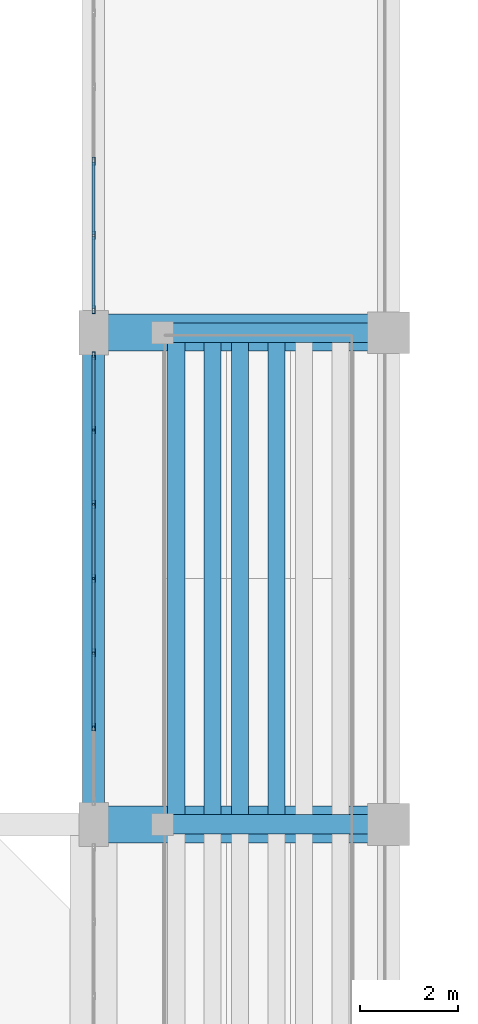
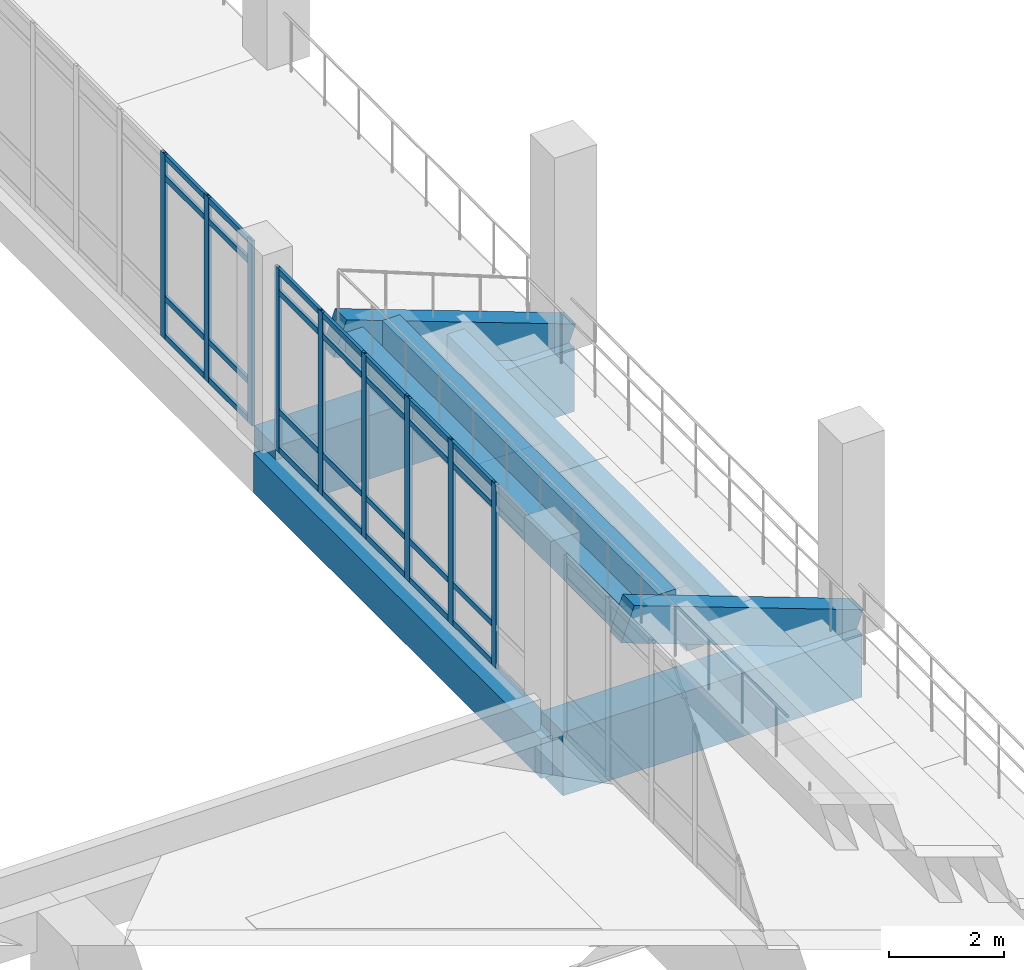
# One storey, part 64 of 161: 37 members, 9 beams, 2 elements without a shape of their own.
"""IFC4 building model written with IfcOpenShell, lengths in metres."""

from ifc_helpers import new_model, si_unit, direction, frame, origin, origin_2d, place, context, subcontext, project, spatial, rectangle, hollow_rectangle, extrude, material, layer, layer_set, material_profile, profile_set, type_object, element, aggregate, save


model = new_model("IFC4")

# Units and contexts
model_context = context("Model", 3, precision=1e-05, world=origin(), true_north=direction((0.0, 1.0)))
body_context = subcontext(model_context, "Body", "Model", "MODEL_VIEW")
ifc_project = project(units=[si_unit("LENGTHUNIT", "METRE"), si_unit("AREAUNIT", "SQUARE_METRE"), si_unit("VOLUMEUNIT", "CUBIC_METRE"), si_unit("PLANEANGLEUNIT", "RADIAN"), si_unit("MASSUNIT", "GRAM", prefix="KILO")], contexts=[model_context])

# Site, building, storey
site_placement = place(None, origin())
site = spatial("IfcSite", under=ifc_project, at=site_placement, CompositionType="ELEMENT")
building_placement = place(site_placement, origin())
building = spatial("IfcBuilding", under=site, at=building_placement, Name="Mersad Railyard Sports Hall", CompositionType="ELEMENT")
storey_placement = place(building_placement, frame((0.0, 0.0, 4.800048828125)))
storey = spatial("IfcBuildingStorey", under=building, at=storey_placement, Name="L01", CompositionType="ELEMENT", Elevation=4.800048828125)

# Curtain wall, members
ifc_material_1 = material(Name="Aluminium 6063-T6", Category="aluminium")
ifc_layer_1 = layer(ifc_material_1, 0.159912109375)
ifc_layer_set_1 = layer_set([ifc_layer_1], Name="Aluminium 6063-T6")
curtain_wall_type_1 = type_object("IfcCurtainWallType", Name="ARC-CW-CW25", PredefinedType="USERDEFINED", material=ifc_layer_set_1)
curtain_wall_1_placement = place(storey_placement, origin())
curtain_wall_1 = element("IfcCurtainWall", 1, at=curtain_wall_1_placement, inside=storey, type_object=curtain_wall_type_1, Name="Curtain wall CW25-0072", ObjectType="CURTAIN WALL", PredefinedType="USERDEFINED")
ifc_material_profile_1 = material_profile(ifc_material_1, hollow_rectangle(XDim=0.06005859375, YDim=0.159912109375, WallThickness=0.00390625, at=origin_2d()), Name="AL MULLION 60x160x4")
ifc_profile_set_1 = profile_set([ifc_material_profile_1], Name="Aluminium 6063-T6")
member_type_1 = type_object("IfcMemberType", Name="ARC-CW-MUL01", PredefinedType="MULLION", material=ifc_profile_set_1)
member_1_placement = place(storey_placement, frame((131.0, 45.47998046875, -0.02001953125), z_axis=(0.0, 0.0, 1.0), x_axis=(1.0, 0.0, 0.0)))
member_1 = element("IfcMember", 2, at=member_1_placement, type_object=member_type_1, Name="CW25 Mullion 2", PredefinedType="MULLION", context=body_context, shape_type="SweptSolid", body=[
    extrude(hollow_rectangle(XDim=0.06005859375, YDim=0.159912109375, WallThickness=0.00390625, at=origin_2d()), origin(), (0.0, 0.0, 1.0), 3.89990234375),
])
member_2_placement = place(storey_placement, frame((131.0, 46.989990234375, -0.02001953125), z_axis=(0.0, 0.0, 1.0), x_axis=(1.0, 0.0, 0.0)))
member_2 = element("IfcMember", 3, at=member_2_placement, type_object=member_type_1, Name="CW25 Mullion 3", PredefinedType="MULLION", context=body_context, shape_type="SweptSolid", body=[
    extrude(hollow_rectangle(XDim=0.06005859375, YDim=0.159912109375, WallThickness=0.00390625, at=origin_2d()), origin(), (0.0, 0.0, 1.0), 3.89990234375),
])
member_3_placement = place(storey_placement, frame((131.0, 48.5, -0.02001953125), z_axis=(0.0, 0.0, 1.0), x_axis=(1.0, 0.0, 0.0)))
member_3 = element("IfcMember", 4, at=member_3_placement, type_object=member_type_1, Name="CW25 Mullion 4", PredefinedType="MULLION", context=body_context, shape_type="SweptSolid", body=[
    extrude(hollow_rectangle(XDim=0.06005859375, YDim=0.159912109375, WallThickness=0.00390625, at=origin_2d()), origin(), (0.0, 0.0, 1.0), 3.89990234375),
])
member_4_placement = place(storey_placement, frame((131.0, 50.010009765625, -0.02001953125), z_axis=(0.0, 0.0, 1.0), x_axis=(1.0, 0.0, 0.0)))
member_4 = element("IfcMember", 5, at=member_4_placement, type_object=member_type_1, Name="CW25 Mullion 5", PredefinedType="MULLION", context=body_context, shape_type="SweptSolid", body=[
    extrude(hollow_rectangle(XDim=0.06005859375, YDim=0.159912109375, WallThickness=0.00390625, at=origin_2d()), origin(), (0.0, 0.0, 1.0), 3.89990234375),
])
member_5_placement = place(storey_placement, frame((131.0, 51.52001953125, -0.02001953125), z_axis=(0.0, 0.0, 1.0), x_axis=(1.0, 0.0, 0.0)))
member_5 = element("IfcMember", 6, at=member_5_placement, type_object=member_type_1, Name="CW25 Mullion 6", PredefinedType="MULLION", context=body_context, shape_type="SweptSolid", body=[
    extrude(hollow_rectangle(XDim=0.06005859375, YDim=0.159912109375, WallThickness=0.00390625, at=origin_2d()), origin(), (0.0, 0.0, 1.0), 3.89990234375),
])
member_6_placement = place(storey_placement, frame((131.0, 53.030029296875, -0.02001953125), z_axis=(0.0, 0.0, 1.0), x_axis=(1.0, 0.0, 0.0)))
member_6 = element("IfcMember", 7, at=member_6_placement, type_object=member_type_1, Name="CW25 Mullion 7", PredefinedType="MULLION", context=body_context, shape_type="SweptSolid", body=[
    extrude(hollow_rectangle(XDim=0.06005859375, YDim=0.159912109375, WallThickness=0.00390625, at=origin_2d()), origin(), (0.0, 0.0, 1.0), 3.89990234375),
])

ifc_layer_2 = layer(ifc_material_1, 0.159912109375)
ifc_layer_set_2 = layer_set([ifc_layer_2], Name="Aluminium 6063-T6")
curtain_wall_type_2 = type_object("IfcCurtainWallType", Name="ARC-CW-CW26", PredefinedType="USERDEFINED", material=ifc_layer_set_2)
curtain_wall_2_placement = place(storey_placement, origin())
curtain_wall_2 = element("IfcCurtainWall", 8, at=curtain_wall_2_placement, inside=storey, type_object=curtain_wall_type_2, Name="Curtain wall CW26-0074", ObjectType="CURTAIN WALL", PredefinedType="USERDEFINED")
member_7_placement = place(storey_placement, frame((131.0, 53.969970703125, -0.02001953125), z_axis=(0.0, 0.0, 1.0), x_axis=(1.0, 0.0, 0.0)))
member_7 = element("IfcMember", 9, at=member_7_placement, type_object=member_type_1, Name="CW26 Mullion 1", PredefinedType="MULLION", context=body_context, shape_type="SweptSolid", body=[
    extrude(hollow_rectangle(XDim=0.06005859375, YDim=0.159912109375, WallThickness=0.00390625, at=origin_2d()), origin(), (0.0, 0.0, 1.0), 3.929931640625),
])
member_8_placement = place(storey_placement, frame((131.0, 55.47998046875, -0.02001953125), z_axis=(0.0, 0.0, 1.0), x_axis=(1.0, 0.0, 0.0)))
member_8 = element("IfcMember", 10, at=member_8_placement, type_object=member_type_1, Name="CW26 Mullion 2", PredefinedType="MULLION", context=body_context, shape_type="SweptSolid", body=[
    extrude(hollow_rectangle(XDim=0.06005859375, YDim=0.159912109375, WallThickness=0.00390625, at=origin_2d()), origin(), (0.0, 0.0, 1.0), 3.929931640625),
])
member_9_placement = place(storey_placement, frame((131.0, 56.989990234375, -0.02001953125), z_axis=(0.0, 0.0, 1.0), x_axis=(1.0, 0.0, 0.0)))
member_9 = element("IfcMember", 11, at=member_9_placement, type_object=member_type_1, Name="CW26 Mullion 3", PredefinedType="MULLION", context=body_context, shape_type="SweptSolid", body=[
    extrude(hollow_rectangle(XDim=0.06005859375, YDim=0.159912109375, WallThickness=0.00390625, at=origin_2d()), origin(), (0.0, 0.0, 1.0), 3.929931640625),
])

# Member
ifc_material_profile_2 = material_profile(ifc_material_1, hollow_rectangle(XDim=0.06005859375, YDim=0.1201171875, WallThickness=0.00390625, at=origin_2d()), Name="AL TRANSOM 60x120x4")
ifc_profile_set_2 = profile_set([ifc_material_profile_2], Name="Aluminium 6063-T6")
member_type_2 = type_object("IfcMemberType", Name="ARC-CW-TRN01", PredefinedType="USERDEFINED", material=ifc_profile_set_2)
member_10_placement = place(storey_placement, frame((131.0, 45.5, 0.0400390625), z_axis=(0.0, 1.0, 0.0), x_axis=(-1.0, 0.0, 0.0)))
member_10 = element("IfcMember", 12, at=member_10_placement, type_object=member_type_2, Name="CW25 Transom 1-2", ObjectType="TRANSOM", PredefinedType="USERDEFINED", context=body_context, shape_type="SweptSolid", body=[
    extrude(hollow_rectangle(XDim=0.06005859375, YDim=0.1201171875, WallThickness=0.00390625, at=origin_2d()), origin(), (0.0, 0.0, 1.0), 1.469970703125),
])

member_11_placement = place(storey_placement, frame((131.0, 47.010009765625, 0.0400390625), z_axis=(0.0, 1.0, 0.0), x_axis=(-1.0, 0.0, 0.0)))
member_11 = element("IfcMember", 13, at=member_11_placement, type_object=member_type_2, Name="CW25 Transom 1-3", ObjectType="TRANSOM", PredefinedType="USERDEFINED", context=body_context, shape_type="SweptSolid", body=[
    extrude(hollow_rectangle(XDim=0.06005859375, YDim=0.1201171875, WallThickness=0.00390625, at=origin_2d()), origin(), (0.0, 0.0, 1.0), 1.469970703125),
])

member_12_placement = place(storey_placement, frame((131.0, 48.52001953125, 0.0400390625), z_axis=(0.0, 1.0, 0.0), x_axis=(-1.0, 0.0, 0.0)))
member_12 = element("IfcMember", 14, at=member_12_placement, type_object=member_type_2, Name="CW25 Transom 1-4", ObjectType="TRANSOM", PredefinedType="USERDEFINED", context=body_context, shape_type="SweptSolid", body=[
    extrude(hollow_rectangle(XDim=0.06005859375, YDim=0.1201171875, WallThickness=0.00390625, at=origin_2d()), origin(), (0.0, 0.0, 1.0), 1.469970703125),
])

member_13_placement = place(storey_placement, frame((131.0, 50.030029296875, 0.0400390625), z_axis=(0.0, 1.0, 0.0), x_axis=(-1.0, 0.0, 0.0)))
member_13 = element("IfcMember", 15, at=member_13_placement, type_object=member_type_2, Name="CW25 Transom 1-5", ObjectType="TRANSOM", PredefinedType="USERDEFINED", context=body_context, shape_type="SweptSolid", body=[
    extrude(hollow_rectangle(XDim=0.06005859375, YDim=0.1201171875, WallThickness=0.00390625, at=origin_2d()), origin(), (0.0, 0.0, 1.0), 1.469970703125),
])

member_14_placement = place(storey_placement, frame((131.0, 51.5400390625, 0.0400390625), z_axis=(0.0, 1.0, 0.0), x_axis=(-1.0, 0.0, 0.0)))
member_14 = element("IfcMember", 16, at=member_14_placement, type_object=member_type_2, Name="CW25 Transom 1-6", ObjectType="TRANSOM", PredefinedType="USERDEFINED", context=body_context, shape_type="SweptSolid", body=[
    extrude(hollow_rectangle(XDim=0.06005859375, YDim=0.1201171875, WallThickness=0.00390625, at=origin_2d()), origin(), (0.0, 0.0, 1.0), 1.469970703125),
])

member_15_placement = place(storey_placement, frame((131.0, 45.5, 0.849853515625), z_axis=(0.0, 1.0, 0.0), x_axis=(-1.0, 0.0, 0.0)))
member_15 = element("IfcMember", 17, at=member_15_placement, type_object=member_type_2, Name="CW25 Transom 2-2", ObjectType="TRANSOM", PredefinedType="USERDEFINED", context=body_context, shape_type="SweptSolid", body=[
    extrude(hollow_rectangle(XDim=0.06005859375, YDim=0.1201171875, WallThickness=0.00390625, at=origin_2d()), origin(), (0.0, 0.0, 1.0), 1.469970703125),
])

member_16_placement = place(storey_placement, frame((131.0, 47.010009765625, 0.849853515625), z_axis=(0.0, 1.0, 0.0), x_axis=(-1.0, 0.0, 0.0)))
member_16 = element("IfcMember", 18, at=member_16_placement, type_object=member_type_2, Name="CW25 Transom 2-3", ObjectType="TRANSOM", PredefinedType="USERDEFINED", context=body_context, shape_type="SweptSolid", body=[
    extrude(hollow_rectangle(XDim=0.06005859375, YDim=0.1201171875, WallThickness=0.00390625, at=origin_2d()), origin(), (0.0, 0.0, 1.0), 1.469970703125),
])

member_17_placement = place(storey_placement, frame((131.0, 48.52001953125, 0.849853515625), z_axis=(0.0, 1.0, 0.0), x_axis=(-1.0, 0.0, 0.0)))
member_17 = element("IfcMember", 19, at=member_17_placement, type_object=member_type_2, Name="CW25 Transom 2-4", ObjectType="TRANSOM", PredefinedType="USERDEFINED", context=body_context, shape_type="SweptSolid", body=[
    extrude(hollow_rectangle(XDim=0.06005859375, YDim=0.1201171875, WallThickness=0.00390625, at=origin_2d()), origin(), (0.0, 0.0, 1.0), 1.469970703125),
])

member_18_placement = place(storey_placement, frame((131.0, 50.030029296875, 0.849853515625), z_axis=(0.0, 1.0, 0.0), x_axis=(-1.0, 0.0, 0.0)))
member_18 = element("IfcMember", 20, at=member_18_placement, type_object=member_type_2, Name="CW25 Transom 2-5", ObjectType="TRANSOM", PredefinedType="USERDEFINED", context=body_context, shape_type="SweptSolid", body=[
    extrude(hollow_rectangle(XDim=0.06005859375, YDim=0.1201171875, WallThickness=0.00390625, at=origin_2d()), origin(), (0.0, 0.0, 1.0), 1.469970703125),
])

member_19_placement = place(storey_placement, frame((131.0, 51.5400390625, 0.849853515625), z_axis=(0.0, 1.0, 0.0), x_axis=(-1.0, 0.0, 0.0)))
member_19 = element("IfcMember", 21, at=member_19_placement, type_object=member_type_2, Name="CW25 Transom 2-6", ObjectType="TRANSOM", PredefinedType="USERDEFINED", context=body_context, shape_type="SweptSolid", body=[
    extrude(hollow_rectangle(XDim=0.06005859375, YDim=0.1201171875, WallThickness=0.00390625, at=origin_2d()), origin(), (0.0, 0.0, 1.0), 1.469970703125),
])

member_20_placement = place(storey_placement, frame((131.0, 45.5, 3.3798828125), z_axis=(0.0, 1.0, 0.0), x_axis=(-1.0, 0.0, 0.0)))
member_20 = element("IfcMember", 22, at=member_20_placement, type_object=member_type_2, Name="CW25 Transom 3-2", ObjectType="TRANSOM", PredefinedType="USERDEFINED", context=body_context, shape_type="SweptSolid", body=[
    extrude(hollow_rectangle(XDim=0.06005859375, YDim=0.1201171875, WallThickness=0.00390625, at=origin_2d()), origin(), (0.0, 0.0, 1.0), 1.469970703125),
])

member_21_placement = place(storey_placement, frame((131.0, 47.010009765625, 3.3798828125), z_axis=(0.0, 1.0, 0.0), x_axis=(-1.0, 0.0, 0.0)))
member_21 = element("IfcMember", 23, at=member_21_placement, type_object=member_type_2, Name="CW25 Transom 3-3", ObjectType="TRANSOM", PredefinedType="USERDEFINED", context=body_context, shape_type="SweptSolid", body=[
    extrude(hollow_rectangle(XDim=0.06005859375, YDim=0.1201171875, WallThickness=0.00390625, at=origin_2d()), origin(), (0.0, 0.0, 1.0), 1.469970703125),
])

member_22_placement = place(storey_placement, frame((131.0, 48.52001953125, 3.3798828125), z_axis=(0.0, 1.0, 0.0), x_axis=(-1.0, 0.0, 0.0)))
member_22 = element("IfcMember", 24, at=member_22_placement, type_object=member_type_2, Name="CW25 Transom 3-4", ObjectType="TRANSOM", PredefinedType="USERDEFINED", context=body_context, shape_type="SweptSolid", body=[
    extrude(hollow_rectangle(XDim=0.06005859375, YDim=0.1201171875, WallThickness=0.00390625, at=origin_2d()), origin(), (0.0, 0.0, 1.0), 1.469970703125),
])

member_23_placement = place(storey_placement, frame((131.0, 50.030029296875, 3.3798828125), z_axis=(0.0, 1.0, 0.0), x_axis=(-1.0, 0.0, 0.0)))
member_23 = element("IfcMember", 25, at=member_23_placement, type_object=member_type_2, Name="CW25 Transom 3-5", ObjectType="TRANSOM", PredefinedType="USERDEFINED", context=body_context, shape_type="SweptSolid", body=[
    extrude(hollow_rectangle(XDim=0.06005859375, YDim=0.1201171875, WallThickness=0.00390625, at=origin_2d()), origin(), (0.0, 0.0, 1.0), 1.469970703125),
])

member_24_placement = place(storey_placement, frame((131.0, 51.5400390625, 3.3798828125), z_axis=(0.0, 1.0, 0.0), x_axis=(-1.0, 0.0, 0.0)))
member_24 = element("IfcMember", 26, at=member_24_placement, type_object=member_type_2, Name="CW25 Transom 3-6", ObjectType="TRANSOM", PredefinedType="USERDEFINED", context=body_context, shape_type="SweptSolid", body=[
    extrude(hollow_rectangle(XDim=0.06005859375, YDim=0.1201171875, WallThickness=0.00390625, at=origin_2d()), origin(), (0.0, 0.0, 1.0), 1.469970703125),
])

member_25_placement = place(storey_placement, frame((131.0, 45.5, 3.820068359375), z_axis=(0.0, 1.0, 0.0), x_axis=(-1.0, 0.0, 0.0)))
member_25 = element("IfcMember", 27, at=member_25_placement, type_object=member_type_2, Name="CW25 Transom 4-2", ObjectType="TRANSOM", PredefinedType="USERDEFINED", context=body_context, shape_type="SweptSolid", body=[
    extrude(hollow_rectangle(XDim=0.06005859375, YDim=0.1201171875, WallThickness=0.00390625, at=origin_2d()), origin(), (0.0, 0.0, 1.0), 1.469970703125),
])

member_26_placement = place(storey_placement, frame((131.0, 47.010009765625, 3.820068359375), z_axis=(0.0, 1.0, 0.0), x_axis=(-1.0, 0.0, 0.0)))
member_26 = element("IfcMember", 28, at=member_26_placement, type_object=member_type_2, Name="CW25 Transom 4-3", ObjectType="TRANSOM", PredefinedType="USERDEFINED", context=body_context, shape_type="SweptSolid", body=[
    extrude(hollow_rectangle(XDim=0.06005859375, YDim=0.1201171875, WallThickness=0.00390625, at=origin_2d()), origin(), (0.0, 0.0, 1.0), 1.469970703125),
])

member_27_placement = place(storey_placement, frame((131.0, 48.52001953125, 3.820068359375), z_axis=(0.0, 1.0, 0.0), x_axis=(-1.0, 0.0, 0.0)))
member_27 = element("IfcMember", 29, at=member_27_placement, type_object=member_type_2, Name="CW25 Transom 4-4", ObjectType="TRANSOM", PredefinedType="USERDEFINED", context=body_context, shape_type="SweptSolid", body=[
    extrude(hollow_rectangle(XDim=0.06005859375, YDim=0.1201171875, WallThickness=0.00390625, at=origin_2d()), origin(), (0.0, 0.0, 1.0), 1.469970703125),
])

member_28_placement = place(storey_placement, frame((131.0, 50.030029296875, 3.820068359375), z_axis=(0.0, 1.0, 0.0), x_axis=(-1.0, 0.0, 0.0)))
member_28 = element("IfcMember", 30, at=member_28_placement, type_object=member_type_2, Name="CW25 Transom 4-5", ObjectType="TRANSOM", PredefinedType="USERDEFINED", context=body_context, shape_type="SweptSolid", body=[
    extrude(hollow_rectangle(XDim=0.06005859375, YDim=0.1201171875, WallThickness=0.00390625, at=origin_2d()), origin(), (0.0, 0.0, 1.0), 1.469970703125),
])

member_29_placement = place(storey_placement, frame((131.0, 51.5400390625, 3.820068359375), z_axis=(0.0, 1.0, 0.0), x_axis=(-1.0, 0.0, 0.0)))
member_29 = element("IfcMember", 31, at=member_29_placement, type_object=member_type_2, Name="CW25 Transom 4-6", ObjectType="TRANSOM", PredefinedType="USERDEFINED", context=body_context, shape_type="SweptSolid", body=[
    extrude(hollow_rectangle(XDim=0.06005859375, YDim=0.1201171875, WallThickness=0.00390625, at=origin_2d()), origin(), (0.0, 0.0, 1.0), 1.469970703125),
])

aggregate(curtain_wall_1, [member_1, member_2, member_3, member_4, member_5, member_6, member_10, member_11, member_12, member_13, member_14, member_15, member_16, member_17, member_18, member_19, member_20, member_21, member_22, member_23, member_24, member_25, member_26, member_27, member_28, member_29])

member_30_placement = place(storey_placement, frame((131.0, 53.989990234375, 0.0400390625), z_axis=(0.0, 1.0, 0.0), x_axis=(-1.0, 0.0, 0.0)))
member_30 = element("IfcMember", 32, at=member_30_placement, type_object=member_type_2, Name="CW26 Transom 1-1", ObjectType="TRANSOM", PredefinedType="USERDEFINED", context=body_context, shape_type="SweptSolid", body=[
    extrude(hollow_rectangle(XDim=0.06005859375, YDim=0.1201171875, WallThickness=0.00390625, at=origin_2d()), origin(), (0.0, 0.0, 1.0), 1.469970703125),
])

member_31_placement = place(storey_placement, frame((131.0, 55.5, 0.0400390625), z_axis=(0.0, 1.0, 0.0), x_axis=(-1.0, 0.0, 0.0)))
member_31 = element("IfcMember", 33, at=member_31_placement, type_object=member_type_2, Name="CW26 Transom 1-2", ObjectType="TRANSOM", PredefinedType="USERDEFINED", context=body_context, shape_type="SweptSolid", body=[
    extrude(hollow_rectangle(XDim=0.06005859375, YDim=0.1201171875, WallThickness=0.00390625, at=origin_2d()), origin(), (0.0, 0.0, 1.0), 1.469970703125),
])

member_32_placement = place(storey_placement, frame((131.0, 53.989990234375, 0.849853515625), z_axis=(0.0, 1.0, 0.0), x_axis=(-1.0, 0.0, 0.0)))
member_32 = element("IfcMember", 34, at=member_32_placement, type_object=member_type_2, Name="CW26 Transom 2-1", ObjectType="TRANSOM", PredefinedType="USERDEFINED", context=body_context, shape_type="SweptSolid", body=[
    extrude(hollow_rectangle(XDim=0.06005859375, YDim=0.1201171875, WallThickness=0.00390625, at=origin_2d()), origin(), (0.0, 0.0, 1.0), 1.469970703125),
])

member_33_placement = place(storey_placement, frame((131.0, 55.5, 0.849853515625), z_axis=(0.0, 1.0, 0.0), x_axis=(-1.0, 0.0, 0.0)))
member_33 = element("IfcMember", 35, at=member_33_placement, type_object=member_type_2, Name="CW26 Transom 2-2", ObjectType="TRANSOM", PredefinedType="USERDEFINED", context=body_context, shape_type="SweptSolid", body=[
    extrude(hollow_rectangle(XDim=0.06005859375, YDim=0.1201171875, WallThickness=0.00390625, at=origin_2d()), origin(), (0.0, 0.0, 1.0), 1.469970703125),
])

member_34_placement = place(storey_placement, frame((131.0, 53.989990234375, 3.409912109375), z_axis=(0.0, 1.0, 0.0), x_axis=(-1.0, 0.0, 0.0)))
member_34 = element("IfcMember", 36, at=member_34_placement, type_object=member_type_2, Name="CW26 Transom 3-1", ObjectType="TRANSOM", PredefinedType="USERDEFINED", context=body_context, shape_type="SweptSolid", body=[
    extrude(hollow_rectangle(XDim=0.06005859375, YDim=0.1201171875, WallThickness=0.00390625, at=origin_2d()), origin(), (0.0, 0.0, 1.0), 1.469970703125),
])

member_35_placement = place(storey_placement, frame((131.0, 55.5, 3.409912109375), z_axis=(0.0, 1.0, 0.0), x_axis=(-1.0, 0.0, 0.0)))
member_35 = element("IfcMember", 37, at=member_35_placement, type_object=member_type_2, Name="CW26 Transom 3-2", ObjectType="TRANSOM", PredefinedType="USERDEFINED", context=body_context, shape_type="SweptSolid", body=[
    extrude(hollow_rectangle(XDim=0.06005859375, YDim=0.1201171875, WallThickness=0.00390625, at=origin_2d()), origin(), (0.0, 0.0, 1.0), 1.469970703125),
])

member_36_placement = place(storey_placement, frame((131.0, 53.989990234375, 3.849853515625), z_axis=(0.0, 1.0, 0.0), x_axis=(-1.0, 0.0, 0.0)))
member_36 = element("IfcMember", 38, at=member_36_placement, type_object=member_type_2, Name="CW26 Transom 4-1", ObjectType="TRANSOM", PredefinedType="USERDEFINED", context=body_context, shape_type="SweptSolid", body=[
    extrude(hollow_rectangle(XDim=0.06005859375, YDim=0.1201171875, WallThickness=0.00390625, at=origin_2d()), origin(), (0.0, 0.0, 1.0), 1.469970703125),
])

member_37_placement = place(storey_placement, frame((131.0, 55.5, 3.849853515625), z_axis=(0.0, 1.0, 0.0), x_axis=(-1.0, 0.0, 0.0)))
member_37 = element("IfcMember", 39, at=member_37_placement, type_object=member_type_2, Name="CW26 Transom 4-2", ObjectType="TRANSOM", PredefinedType="USERDEFINED", context=body_context, shape_type="SweptSolid", body=[
    extrude(hollow_rectangle(XDim=0.06005859375, YDim=0.1201171875, WallThickness=0.00390625, at=origin_2d()), origin(), (0.0, 0.0, 1.0), 1.469970703125),
])

aggregate(curtain_wall_2, [member_7, member_8, member_9, member_30, member_31, member_32, member_33, member_34, member_35, member_36, member_37])

# Beams
ifc_material_2 = material(Name="Concrete C40/50", Category="concrete")
ifc_material_profile_3 = material_profile(ifc_material_2, rectangle(XDim=0.449951171875, YDim=0.85009765625, at=origin_2d()), Name="RC 450x850")
ifc_profile_set_3 = profile_set([ifc_material_profile_3], Name="Concrete C40/50")
beam_type_1 = type_object("IfcBeamType", Name="STR-BM-B02", PredefinedType="BEAM", material=ifc_profile_set_3)
beam_placement = place(storey_placement, frame((131.0, 43.5, -0.705078125), z_axis=(0.0, 1.0, 0.0), x_axis=(-1.0, 0.0, 0.0)))
element("IfcBeam", 40, at=beam_placement, inside=storey, type_object=beam_type_1, Name="Beam B02-0632", PredefinedType="BEAM", context=body_context, shape_type="SweptSolid", body=[
    extrude(rectangle(XDim=0.449951171875, YDim=0.85009765625, at=origin_2d()), origin(), (0.0, 0.0, 1.0), 10.0),
])
ifc_material_profile_4 = material_profile(ifc_material_2, rectangle(XDim=0.35009765625, YDim=0.64990234375, at=origin_2d()), Name="RC 350x650")
ifc_profile_set_4 = profile_set([ifc_material_profile_4], Name="Concrete C40/50")
beam_type_2 = type_object("IfcBeamType", Name="STR-BM-J01", PredefinedType="JOIST", material=ifc_profile_set_4)
for number, where, z_axis, x_axis, name in (
    (41, (133.97998046875, 43.699951171875, 0.71484375), (0.0, 1.0, 0.0), (-1.0, 0.0, 0.0), "Beam J01-0893"),
    (42, (134.719970703125, 43.699951171875, 0.71484375), (0.0, 1.0, 0.0), (-1.0, 0.0, 0.0), "Beam J01-0895"),
    (43, (132.679931640625, 43.699951171875, 1.46484375), (0.0, 1.0, 0.0), (-1.0, 0.0, 0.0), "Beam J01-0897"),
    (44, (133.419921875, 43.699951171875, 1.46484375), (0.0, 1.0, 0.0), (-1.0, 0.0, 0.0), "Beam J01-0899"),
):
    element("IfcBeam", number, at=place(storey_placement, frame(where, z_axis=z_axis, x_axis=x_axis)), inside=storey, type_object=beam_type_2, Name=name, PredefinedType="JOIST", context=body_context, shape_type="SweptSolid", body=[
        extrude(rectangle(XDim=0.35009765625, YDim=0.64990234375, at=origin_2d()), origin(), (0.0, 0.0, 1.0), 9.60009765625),
    ])
ifc_material_profile_5 = material_profile(ifc_material_2, rectangle(XDim=0.39990234375, YDim=0.75, at=origin_2d()), Name="RC 400x750")
ifc_profile_set_5 = profile_set([ifc_material_profile_5], Name="Concrete C40/50")
beam_type_3 = type_object("IfcBeamType", Name="STR-BM-RK02", PredefinedType="USERDEFINED", material=ifc_profile_set_5)
for number, where, z_axis, x_axis, name in (
    (45, (132.39990234375, 43.5, 1.699951171875), (0.938000128982, 0.0, -0.34663490596), (0.0, 1.0, 0.0), "Beam RK02-0847"),
    (46, (132.39990234375, 53.5, 1.699951171875), (0.938000128982, 0.0, -0.34663490596), (0.0, 1.0, 0.0), "Beam RK02-0851"),
):
    element("IfcBeam", number, at=place(storey_placement, frame(where, z_axis=z_axis, x_axis=x_axis)), inside=storey, type_object=beam_type_3, Name=name, ObjectType="RAKER", PredefinedType="USERDEFINED", context=body_context, shape_type="SweptSolid", body=[
        extrude(rectangle(XDim=0.39990234375, YDim=0.75, at=origin_2d()), origin(), (0.0, 0.0, 1.0), 4.904052734375),
    ])
ifc_material_3 = material(Name="Post-tensioned concrete C50/60", Category="concrete")
ifc_material_profile_6 = material_profile(ifc_material_3, rectangle(XDim=0.75, YDim=1.35009765625, at=origin_2d()), Name="PT 750x1350")
ifc_profile_set_6 = profile_set([ifc_material_profile_6], Name="Post-tensioned concrete C50/60")
beam_type_4 = type_object("IfcBeamType", Name="STR-BM-TG02", PredefinedType="USERDEFINED", material=ifc_profile_set_6)
for number, where, z_axis, x_axis, name in (
    (47, (131.0, 43.5, -0.675048828125), (1.0, 0.0, 0.0), (0.0, 1.0, 0.0), "Transfer girder TG02-0623"),
    (48, (131.0, 53.5, -0.675048828125), (1.0, 0.0, 0.0), (0.0, 1.0, 0.0), "Transfer girder TG02-0625"),
):
    element("IfcBeam", number, at=place(storey_placement, frame(where, z_axis=z_axis, x_axis=x_axis)), inside=storey, type_object=beam_type_4, Name=name, ObjectType="GIRDER", PredefinedType="USERDEFINED", context=body_context, shape_type="SweptSolid", body=[
        extrude(rectangle(XDim=0.75, YDim=1.35009765625, at=origin_2d()), origin(), (0.0, 0.0, 1.0), 6.0),
    ])

save(model, "model.ifc")
